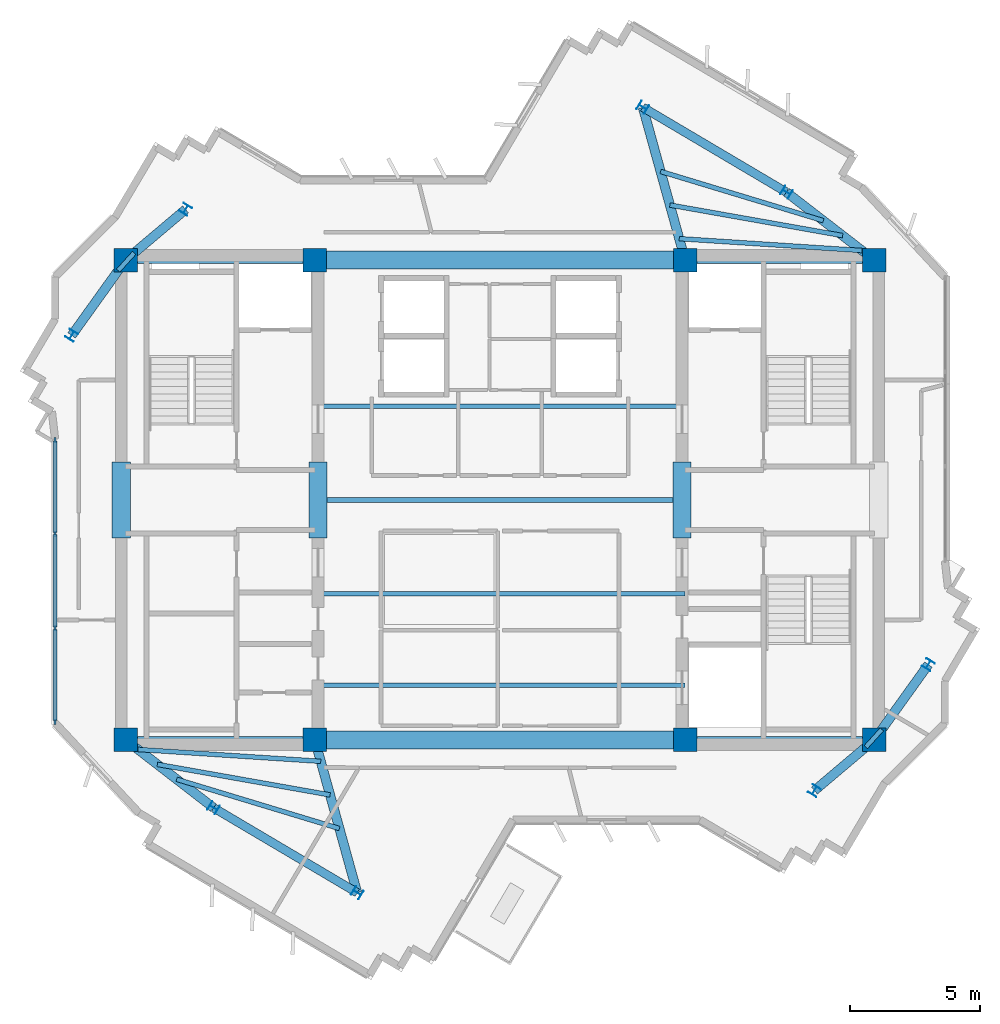
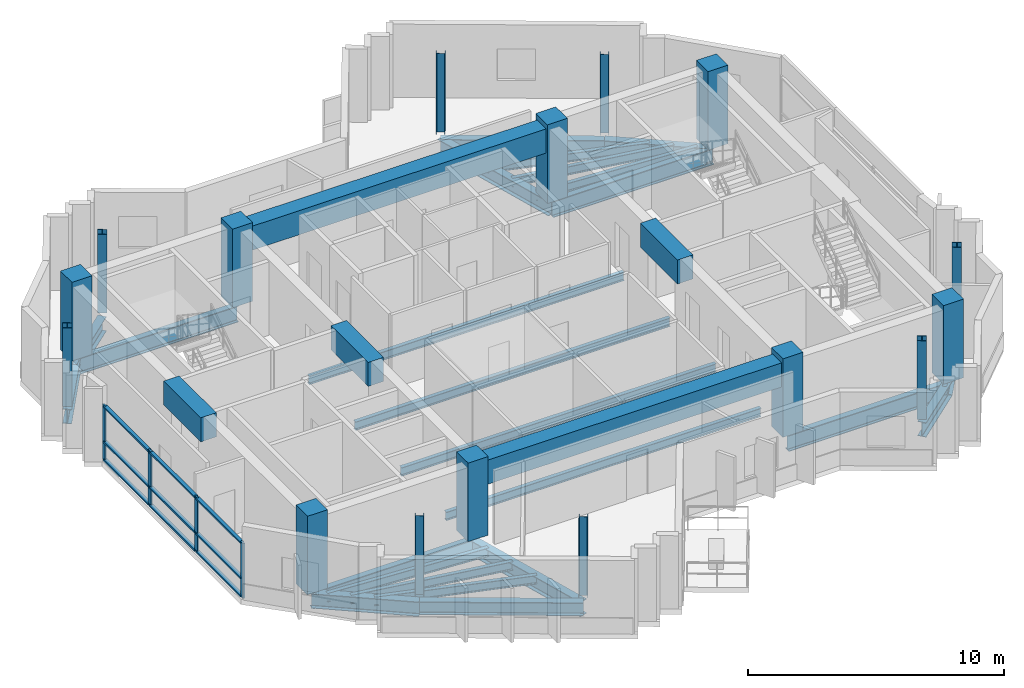
# One storey, part 1 of 10: 31 beams, 16 columns, 13 members, 1 element without a shape of its own.
"""IFC4 building model written with IfcOpenShell, lengths in metres."""

from ifc_helpers import new_model, si_unit, direction, frame, origin, origin_2d, place, context, subcontext, project, spatial, rectangle, i_section, extrude, source, transform, mapped, material, layer, layer_set, material_profile, profile_set, type_object, element, aggregate, save


model = new_model("IFC4")

# Units and contexts
model_context = context("Model", 3, precision=1e-05, world=origin(), true_north=direction((0.0, 1.0)))
body_context = subcontext(model_context, "Body", "Model", "MODEL_VIEW")
ifc_project = project(units=[si_unit("LENGTHUNIT", "METRE"), si_unit("AREAUNIT", "SQUARE_METRE"), si_unit("VOLUMEUNIT", "CUBIC_METRE"), si_unit("PLANEANGLEUNIT", "RADIAN"), si_unit("MASSUNIT", "GRAM", prefix="KILO")], contexts=[model_context])

# Site, building, storey
site_placement = place(None, origin())
site = spatial("IfcSite", under=ifc_project, at=site_placement, CompositionType="ELEMENT")
building_placement = place(site_placement, origin())
building = spatial("IfcBuilding", under=site, at=building_placement, Name="Zahravan Cultural Tower", CompositionType="ELEMENT")
storey_placement = place(building_placement, frame((0.0, 0.0, 346.050048828125)))
storey = spatial("IfcBuildingStorey", under=building, at=storey_placement, Name="L84", CompositionType="ELEMENT", Elevation=346.050048828125)

# Columns
ifc_material_1 = material(Name="Concrete C50/60", Category="concrete")
ifc_material_profile_1 = material_profile(ifc_material_1, rectangle(XDim=0.89990234375, YDim=0.89990234375, at=origin_2d()), Name="RC900X900")
ifc_profile_set_1 = profile_set([ifc_material_profile_1], Name="Concrete C50/60")
column_type_1 = type_object("IfcColumnType", Name="COL-RC900", PredefinedType="COLUMN", material=ifc_profile_set_1)
shared_shape_1 = source(origin(), body_context, "Body", "SweptSolid", [
    extrude(rectangle(XDim=0.89990234375, YDim=0.89990234375, at=origin_2d()), origin(), (0.0, 0.0, 1.0), 3.75),
])
for number, where, z_axis, x_axis, name in (
    (1, (21.64990234375, 17.800048828125, 0.0), (0.0, 0.0, 1.0), (1.0, 0.0, 0.0), "L84 Column CC-W1"),
    (2, (28.89990234375, 17.800048828125, 0.0), (0.0, 0.0, 1.0), (1.0, 0.0, 0.0), "L84 Column CC-W2"),
    (3, (21.64990234375, 36.199951171875, 0.0), (0.0, 0.0, 1.0), (1.0, 0.0, 0.0), "L84 Column CC-W3"),
    (4, (28.89990234375, 36.199951171875, 0.0), (0.0, 0.0, 1.0), (1.0, 0.0, 0.0), "L84 Column CC-W4"),
    (5, (43.10009765625, 17.800048828125, 0.0), (0.0, 0.0, 1.0), (1.0, 0.0, 0.0), "L84 Column CC-E1"),
    (6, (50.35009765625, 17.800048828125, 0.0), (0.0, 0.0, 1.0), (1.0, 0.0, 0.0), "L84 Column CC-E2"),
    (7, (43.10009765625, 36.199951171875, 0.0), (0.0, 0.0, 1.0), (1.0, 0.0, 0.0), "L84 Column CC-E3"),
    (8, (50.35009765625, 36.199951171875, 0.0), (0.0, 0.0, 1.0), (1.0, 0.0, 0.0), "L84 Column CC-E4"),
):
    element("IfcColumn", number, at=place(storey_placement, frame(where, z_axis=z_axis, x_axis=x_axis)), inside=storey, type_object=column_type_1, Name=name, PredefinedType="COLUMN", context=body_context, shape_type="MappedRepresentation", body=[
        mapped(shared_shape_1, transform((0.0, 0.0, 0.0), x_axis=(1.0, 0.0, 0.0), y_axis=(0.0, 1.0, 0.0), z_axis=(0.0, 0.0, 1.0), scale=1.0)),
    ])
ifc_material_2 = material(Name="Steel ASTM A992 Grade 50", Category="steel")
ifc_material_profile_2 = material_profile(ifc_material_2, i_section(OverallWidth=0.368896484375, OverallDepth=0.35595703125, WebThickness=0.01123046875, FlangeThickness=0.01806640625, FilletRadius=0.01806640625, at=origin_2d()), Name="W14X90")
ifc_profile_set_2 = profile_set([ifc_material_profile_2], Name="Steel ASTM A992 Grade 50")
column_type_2 = type_object("IfcColumnType", Name="COL-W14X90", PredefinedType="COLUMN", material=ifc_profile_set_2)
shared_shape_2 = source(origin(), body_context, "Body", "SweptSolid", [
    extrude(i_section(OverallWidth=0.368896484375, OverallDepth=0.35595703125, WebThickness=0.01123046875, FlangeThickness=0.01806640625, FilletRadius=0.01806640625, at=origin_2d()), origin(), (0.0, 0.0, 1.0), 3.75),
])
for number, where, z_axis, x_axis, name in (
    (9, (46.98388671875, 38.7998046875, 0.0), (0.0, 0.0, 1.0), (0.522498564716, 0.852640164354, 0.0), "L84 Column Z4C-E1"),
    (10, (41.474853515625, 42.058349609375, 0.0), (0.0, 0.0, 1.0), (0.522498564716, 0.852640164354, 0.0), "L84 Column Z4C-E2"),
    (11, (23.944580078125, 38.140625, 0.0), (0.0, 0.0, 1.0), (-0.852640164354, 0.522498564716, 0.0), "L84 Column Z4C-N1"),
    (12, (19.577392578125, 33.310791015625, 0.0), (0.0, 0.0, 1.0), (-0.852640164354, 0.522498564716, 0.0), "L84 Column Z4C-N2"),
    (13, (25.01611328125, 15.2001953125, 0.0), (0.0, 0.0, 1.0), (0.522498564716, 0.852640164354, 0.0), "L84 Column Z4C-W1"),
    (14, (30.525146484375, 11.941650390625, 0.0), (0.0, 0.0, 1.0), (0.522498564716, 0.852640164354, 0.0), "L84 Column Z4C-W2"),
    (15, (48.055419921875, 15.859375, 0.0), (0.0, 0.0, 1.0), (-0.852640164354, 0.522498564716, 0.0), "L84 Column Z4C-S1"),
    (16, (52.422607421875, 20.689208984375, 0.0), (0.0, 0.0, 1.0), (-0.852640164354, 0.522498564716, 0.0), "L84 Column Z4C-S2"),
):
    element("IfcColumn", number, at=place(storey_placement, frame(where, z_axis=z_axis, x_axis=x_axis)), inside=storey, type_object=column_type_2, Name=name, PredefinedType="COLUMN", context=body_context, shape_type="MappedRepresentation", body=[
        mapped(shared_shape_2, transform((0.0, 0.0, 0.0), x_axis=(1.0, 0.0, 0.0), y_axis=(0.0, 1.0, 0.0), z_axis=(0.0, 0.0, 1.0), scale=1.0)),
    ])

# Beams
ifc_material_profile_3 = material_profile(ifc_material_1, rectangle(XDim=0.699951171875, YDim=1.14990234375, at=origin_2d()), Name="RC700X1150")
ifc_profile_set_3 = profile_set([ifc_material_profile_3], Name="Concrete C50/60")
beam_type_1 = type_object("IfcBeamType", Name="BM-LN-RC700X1150", PredefinedType="LINTEL", material=ifc_profile_set_3)
shared_shape_3 = source(origin(), body_context, "Body", "SweptSolid", [
    extrude(rectangle(XDim=0.699951171875, YDim=1.14990234375, at=origin_2d()), origin(), (0.0, 0.0, 1.0), 14.2001953125),
])
for number, where, z_axis, x_axis, name in (
    (17, (28.89990234375, 17.800048828125, 2.925048828125), (1.0, 0.0, 0.0), (0.0, 1.0, 0.0), "L84 Beam LN-L84-S"),
    (18, (28.89990234375, 36.199951171875, 2.925048828125), (1.0, 0.0, 0.0), (0.0, 1.0, 0.0), "L84 Beam LN-L84-N"),
):
    element("IfcBeam", number, at=place(storey_placement, frame(where, z_axis=z_axis, x_axis=x_axis)), inside=storey, type_object=beam_type_1, Name=name, PredefinedType="LINTEL", context=body_context, shape_type="MappedRepresentation", body=[
        mapped(shared_shape_3, transform((0.0, 0.0, 0.0), x_axis=(1.0, 0.0, 0.0), y_axis=(0.0, 1.0, 0.0), z_axis=(0.0, 0.0, 1.0), scale=1.0)),
    ])
shared_shape_4 = source(origin(), body_context, "Body", "SweptSolid", [
    extrude(rectangle(XDim=0.699951171875, YDim=1.14990234375, at=origin_2d()), origin(), (0.0, 0.0, 1.0), 2.89990234375),
])
for number, where, z_axis, x_axis, name in (
    (19, (21.47509765625, 25.550048828125, 2.925048828125), (0.0, 1.0, 0.0), (-1.0, 0.0, 0.0), "L84 Beam LN-L84-PWW"),
    (20, (29.02490234375, 25.550048828125, 2.925048828125), (0.0, 1.0, 0.0), (-1.0, 0.0, 0.0), "L84 Beam LN-L84-PWE"),
    (21, (42.97509765625, 25.550048828125, 2.925048828125), (0.0, 1.0, 0.0), (-1.0, 0.0, 0.0), "L84 Beam LN-L84-PEW"),
):
    element("IfcBeam", number, at=place(storey_placement, frame(where, z_axis=z_axis, x_axis=x_axis)), inside=storey, type_object=beam_type_1, Name=name, PredefinedType="LINTEL", context=body_context, shape_type="MappedRepresentation", body=[
        mapped(shared_shape_4, transform((0.0, 0.0, 0.0), x_axis=(1.0, 0.0, 0.0), y_axis=(0.0, 1.0, 0.0), z_axis=(0.0, 0.0, 1.0), scale=1.0)),
    ])
ifc_material_profile_4 = material_profile(ifc_material_2, i_section(OverallWidth=0.26611328125, OverallDepth=0.780029296875, WebThickness=0.0166015625, FlangeThickness=0.030029296875, FilletRadius=0.01904296875, at=origin_2d()), Name="W30X148")
ifc_profile_set_4 = profile_set([ifc_material_profile_4], Name="Steel ASTM A992 Grade 50")
beam_type_2 = type_object("IfcBeamType", Name="BM-G-W30X148", PredefinedType="BEAM", material=ifc_profile_set_4)
shared_shape_5 = source(origin(), body_context, "Body", "SweptSolid", [
    extrude(i_section(OverallWidth=0.26611328125, OverallDepth=0.780029296875, WebThickness=0.0166015625, FlangeThickness=0.030029296875, FilletRadius=0.01904296875, at=origin_2d()), origin(), (0.0, 0.0, 1.0), 7.25),
])
for number, where, z_axis, x_axis, name in (
    (22, (21.64990234375, 17.800048828125, -0.64013671875), (1.0, 0.0, 0.0), (0.0, 1.0, 0.0), "L84 Beam BG-L84-01"),
    (23, (21.64990234375, 36.199951171875, -0.64013671875), (1.0, 0.0, 0.0), (0.0, 1.0, 0.0), "L84 Beam BG-L84-02"),
    (24, (43.10009765625, 17.800048828125, -0.64013671875), (1.0, 0.0, 0.0), (0.0, 1.0, 0.0), "L84 Beam BG-L84-04"),
    (25, (43.10009765625, 36.199951171875, -0.64013671875), (1.0, 0.0, 0.0), (0.0, 1.0, 0.0), "L84 Beam BG-L84-05"),
):
    element("IfcBeam", number, at=place(storey_placement, frame(where, z_axis=z_axis, x_axis=x_axis)), inside=storey, type_object=beam_type_2, Name=name, PredefinedType="BEAM", context=body_context, shape_type="MappedRepresentation", body=[
        mapped(shared_shape_5, transform((0.0, 0.0, 0.0), x_axis=(1.0, 0.0, 0.0), y_axis=(0.0, 1.0, 0.0), z_axis=(0.0, 0.0, 1.0), scale=1.0)),
    ])
ifc_material_profile_5 = material_profile(ifc_material_2, i_section(OverallWidth=0.35498046875, OverallDepth=0.696044921875, WebThickness=0.015380859375, FlangeThickness=0.025146484375, FilletRadius=0.01806640625, at=origin_2d()), Name="W27X146")
ifc_profile_set_5 = profile_set([ifc_material_profile_5], Name="Steel ASTM A992 Grade 50")
beam_type_3 = type_object("IfcBeamType", Name="BM-G-W27X146", PredefinedType="BEAM", material=ifc_profile_set_5)
shared_shape_6 = source(origin(), body_context, "Body", "SweptSolid", [
    extrude(i_section(OverallWidth=0.35498046875, OverallDepth=0.696044921875, WebThickness=0.015380859375, FlangeThickness=0.025146484375, FilletRadius=0.01806640625, at=origin_2d()), origin(), (0.0, 0.0, 1.0), 4.25341796875),
])
for number, where, z_axis, x_axis, name in (
    (26, (21.64990234375, 17.800048828125, -0.59814453125), (0.791433936253, -0.611254713313, 0.0), (0.611254713313, 0.791433936253, 0.0), "L84 Beam BG-L84-07"),
    (27, (50.35009765625, 36.199951171875, -0.59814453125), (-0.791433936253, 0.611254713313, 0.0), (-0.611254713313, -0.791433936253, 0.0), "L84 Beam BG-L84-11"),
):
    element("IfcBeam", number, at=place(storey_placement, frame(where, z_axis=z_axis, x_axis=x_axis)), inside=storey, type_object=beam_type_3, Name=name, PredefinedType="BEAM", context=body_context, shape_type="MappedRepresentation", body=[
        mapped(shared_shape_6, transform((0.0, 0.0, 0.0), x_axis=(1.0, 0.0, 0.0), y_axis=(0.0, 1.0, 0.0), z_axis=(0.0, 0.0, 1.0), scale=1.0)),
    ])
shared_shape_7 = source(origin(), body_context, "Body", "SweptSolid", [
    extrude(i_section(OverallWidth=0.35498046875, OverallDepth=0.696044921875, WebThickness=0.015380859375, FlangeThickness=0.025146484375, FilletRadius=0.01806640625, at=origin_2d()), origin(), (0.0, 0.0, 1.0), 6.07958984375),
])
for number, where, z_axis, x_axis, name in (
    (28, (28.89990234375, 17.800048828125, -0.59814453125), (0.267324894686, -0.963606455292, 0.0), (0.963606455292, 0.267324894686, 0.0), "L84 Beam BG-L84-08"),
    (29, (43.10009765625, 36.199951171875, -0.59814453125), (-0.267324894686, 0.963606455292, 0.0), (-0.963606455292, -0.267324894686, 0.0), "L84 Beam BG-L84-12"),
):
    element("IfcBeam", number, at=place(storey_placement, frame(where, z_axis=z_axis, x_axis=x_axis)), inside=storey, type_object=beam_type_3, Name=name, PredefinedType="BEAM", context=body_context, shape_type="MappedRepresentation", body=[
        mapped(shared_shape_7, transform((0.0, 0.0, 0.0), x_axis=(1.0, 0.0, 0.0), y_axis=(0.0, 1.0, 0.0), z_axis=(0.0, 0.0, 1.0), scale=1.0)),
    ])
shared_shape_8 = source(origin(), body_context, "Body", "SweptSolid", [
    extrude(i_section(OverallWidth=0.35498046875, OverallDepth=0.696044921875, WebThickness=0.015380859375, FlangeThickness=0.025146484375, FilletRadius=0.01806640625, at=origin_2d()), origin(), (0.0, 0.0, 1.0), 3.00537109375),
])
for number, where, z_axis, x_axis, name in (
    (30, (50.35009765625, 17.800048828125, -0.59814453125), (-0.763546494847, -0.645752855361, 0.0), (0.645752855361, -0.763546494847, 0.0), "L84 Beam BG-L84-09"),
    (31, (21.64990234375, 36.199951171875, -0.59814453125), (0.763546494847, 0.645752855361, 0.0), (-0.645752855361, 0.763546494847, 0.0), "L84 Beam BG-L84-13"),
):
    element("IfcBeam", number, at=place(storey_placement, frame(where, z_axis=z_axis, x_axis=x_axis)), inside=storey, type_object=beam_type_3, Name=name, PredefinedType="BEAM", context=body_context, shape_type="MappedRepresentation", body=[
        mapped(shared_shape_8, transform((0.0, 0.0, 0.0), x_axis=(1.0, 0.0, 0.0), y_axis=(0.0, 1.0, 0.0), z_axis=(0.0, 0.0, 1.0), scale=1.0)),
    ])
shared_shape_9 = source(origin(), body_context, "Body", "SweptSolid", [
    extrude(i_section(OverallWidth=0.35498046875, OverallDepth=0.696044921875, WebThickness=0.015380859375, FlangeThickness=0.025146484375, FilletRadius=0.01806640625, at=origin_2d()), origin(), (0.0, 0.0, 1.0), 3.5556640625),
])
for number, where, z_axis, x_axis, name in (
    (32, (50.35009765625, 17.800048828125, -0.59814453125), (0.58288028137, 0.812558045674, 0.0), (-0.812558045674, 0.58288028137, 0.0), "L84 Beam BG-L84-10"),
    (33, (21.64990234375, 36.199951171875, -0.59814453125), (-0.58288028137, -0.812558045674, 0.0), (0.812558045674, -0.58288028137, 0.0), "L84 Beam BG-L84-14"),
):
    element("IfcBeam", number, at=place(storey_placement, frame(where, z_axis=z_axis, x_axis=x_axis)), inside=storey, type_object=beam_type_3, Name=name, PredefinedType="BEAM", context=body_context, shape_type="MappedRepresentation", body=[
        mapped(shared_shape_9, transform((0.0, 0.0, 0.0), x_axis=(1.0, 0.0, 0.0), y_axis=(0.0, 1.0, 0.0), z_axis=(0.0, 0.0, 1.0), scale=1.0)),
    ])
ifc_material_profile_6 = material_profile(ifc_material_2, i_section(OverallWidth=0.326904296875, OverallDepth=0.6220703125, WebThickness=0.015380859375, FlangeThickness=0.0244140625, FilletRadius=0.014892578125, at=origin_2d()), Name="W24X131")
ifc_profile_set_6 = profile_set([ifc_material_profile_6], Name="Steel ASTM A992 Grade 50")
beam_type_4 = type_object("IfcBeamType", Name="BM-SP-W24X131", PredefinedType="SPANDREL", material=ifc_profile_set_6)
shared_shape_10 = source(origin(), body_context, "Body", "SweptSolid", [
    extrude(i_section(OverallWidth=0.326904296875, OverallDepth=0.6220703125, WebThickness=0.015380859375, FlangeThickness=0.0244140625, FilletRadius=0.014892578125, at=origin_2d()), origin(), (0.0, 0.0, 1.0), 6.400634765625),
])
for number, where, z_axis, x_axis, name in (
    (34, (25.01611328125, 15.2001953125, -0.56103515625), (0.860706991833, -0.509100652337, 0.0), (0.509100652337, 0.860706991833, 0.0), "L84 Beam SP-L84-15"),
    (35, (46.98388671875, 38.7998046875, -0.56103515625), (-0.860706991833, 0.509100652337, 0.0), (-0.509100652337, -0.860706991833, 0.0), "L84 Beam SP-L84-17"),
):
    element("IfcBeam", number, at=place(storey_placement, frame(where, z_axis=z_axis, x_axis=x_axis)), inside=storey, type_object=beam_type_4, Name=name, PredefinedType="SPANDREL", context=body_context, shape_type="MappedRepresentation", body=[
        mapped(shared_shape_10, transform((0.0, 0.0, 0.0), x_axis=(1.0, 0.0, 0.0), y_axis=(0.0, 1.0, 0.0), z_axis=(0.0, 0.0, 1.0), scale=1.0)),
    ])
ifc_material_profile_7 = material_profile(ifc_material_2, i_section(OverallWidth=0.177978515625, OverallDepth=0.406005859375, WebThickness=0.0078125, FlangeThickness=0.0126953125, FilletRadius=0.011962890625, at=origin_2d()), Name="W16X40")
ifc_profile_set_7 = profile_set([ifc_material_profile_7], Name="Steel ASTM A992 Grade 50")
beam_type_5 = type_object("IfcBeamType", Name="BM-J-W16X40", PredefinedType="JOIST", material=ifc_profile_set_7)
shared_shape_11 = source(origin(), body_context, "Body", "SweptSolid", [
    extrude(i_section(OverallWidth=0.177978515625, OverallDepth=0.406005859375, WebThickness=0.0078125, FlangeThickness=0.0126953125, FilletRadius=0.011962890625, at=origin_2d()), origin(), (0.0, 0.0, 1.0), 14.2001953125),
])
for number, where, z_axis, x_axis, name in (
    (36, (28.89990234375, 19.89990234375, -0.453125), (1.0, 0.0, 0.0), (0.0, 1.0, 0.0), "L84 Beam BJ-L84-20"),
    (37, (28.89990234375, 23.39990234375, -0.453125), (1.0, 0.0, 0.0), (0.0, 1.0, 0.0), "L84 Beam BJ-L84-21"),
    (38, (28.89990234375, 27.0, -0.453125), (1.0, 0.0, 0.0), (0.0, 1.0, 0.0), "L84 Beam BJ-L84-22"),
    (39, (28.89990234375, 30.60009765625, -0.453125), (1.0, 0.0, 0.0), (0.0, 1.0, 0.0), "L84 Beam BJ-L84-23"),
):
    element("IfcBeam", number, at=place(storey_placement, frame(where, z_axis=z_axis, x_axis=x_axis)), inside=storey, type_object=beam_type_5, Name=name, PredefinedType="JOIST", context=body_context, shape_type="MappedRepresentation", body=[
        mapped(shared_shape_11, transform((0.0, 0.0, 0.0), x_axis=(1.0, 0.0, 0.0), y_axis=(0.0, 1.0, 0.0), z_axis=(0.0, 0.0, 1.0), scale=1.0)),
    ])
shared_shape_12 = source(origin(), body_context, "Body", "SweptSolid", [
    extrude(i_section(OverallWidth=0.177978515625, OverallDepth=0.406005859375, WebThickness=0.0078125, FlangeThickness=0.0126953125, FilletRadius=0.011962890625, at=origin_2d()), origin(), (0.0, 0.0, 1.0), 7.02099609375),
])
for number, where, z_axis, x_axis, name in (
    (40, (22.121337890625, 17.43603515625, -0.453125), (0.99788584579, -0.064991066863, 0.0), (0.064991066863, 0.99788584579, 0.0), "L84 Beam BJ-L84-24"),
    (41, (49.878662109375, 36.56396484375, -0.453125), (-0.99788584579, 0.064991066863, 0.0), (-0.064991066863, -0.99788584579, 0.0), "L84 Beam BJ-L84-40"),
):
    element("IfcBeam", number, at=place(storey_placement, frame(where, z_axis=z_axis, x_axis=x_axis)), inside=storey, type_object=beam_type_5, Name=name, PredefinedType="JOIST", context=body_context, shape_type="MappedRepresentation", body=[
        mapped(shared_shape_12, transform((0.0, 0.0, 0.0), x_axis=(1.0, 0.0, 0.0), y_axis=(0.0, 1.0, 0.0), z_axis=(0.0, 0.0, 1.0), scale=1.0)),
    ])
shared_shape_13 = source(origin(), body_context, "Body", "SweptSolid", [
    extrude(i_section(OverallWidth=0.177978515625, OverallDepth=0.406005859375, WebThickness=0.0078125, FlangeThickness=0.0126953125, FilletRadius=0.011962890625, at=origin_2d()), origin(), (0.0, 0.0, 1.0), 6.726318359375),
])
for number, where, z_axis, x_axis, name in (
    (42, (22.86181640625, 16.864013671875, -0.453125), (0.98467447748, -0.17440233198, 0.0), (0.17440233198, 0.98467447748, 0.0), "L84 Beam BJ-L84-26"),
    (43, (49.13818359375, 37.135986328125, -0.453125), (-0.98467447748, 0.17440233198, 0.0), (-0.17440233198, -0.98467447748, 0.0), "L84 Beam BJ-L84-42"),
):
    element("IfcBeam", number, at=place(storey_placement, frame(where, z_axis=z_axis, x_axis=x_axis)), inside=storey, type_object=beam_type_5, Name=name, PredefinedType="JOIST", context=body_context, shape_type="MappedRepresentation", body=[
        mapped(shared_shape_13, transform((0.0, 0.0, 0.0), x_axis=(1.0, 0.0, 0.0), y_axis=(0.0, 1.0, 0.0), z_axis=(0.0, 0.0, 1.0), scale=1.0)),
    ])
shared_shape_14 = source(origin(), body_context, "Body", "SweptSolid", [
    extrude(i_section(OverallWidth=0.177978515625, OverallDepth=0.406005859375, WebThickness=0.0078125, FlangeThickness=0.0126953125, FilletRadius=0.011962890625, at=origin_2d()), origin(), (0.0, 0.0, 1.0), 6.520263671875),
])
for number, where, z_axis, x_axis, name in (
    (44, (23.602294921875, 16.292236328125, -0.453125), (0.957060297679, -0.289888921151, 0.0), (0.289888921151, 0.957060297679, 0.0), "L84 Beam BJ-L84-28"),
    (45, (48.397705078125, 37.707763671875, -0.453125), (-0.957060297679, 0.289888921151, 0.0), (-0.289888921151, -0.957060297679, 0.0), "L84 Beam BJ-L84-44"),
):
    element("IfcBeam", number, at=place(storey_placement, frame(where, z_axis=z_axis, x_axis=x_axis)), inside=storey, type_object=beam_type_5, Name=name, PredefinedType="JOIST", context=body_context, shape_type="MappedRepresentation", body=[
        mapped(shared_shape_14, transform((0.0, 0.0, 0.0), x_axis=(1.0, 0.0, 0.0), y_axis=(0.0, 1.0, 0.0), z_axis=(0.0, 0.0, 1.0), scale=1.0)),
    ])
shared_shape_15 = source(origin(), body_context, "Body", "SweptSolid", [
    extrude(i_section(OverallWidth=0.177978515625, OverallDepth=0.406005859375, WebThickness=0.0078125, FlangeThickness=0.0126953125, FilletRadius=0.011962890625, at=origin_2d()), origin(), (0.0, 0.0, 1.0), 0.91162109375),
])
for number, where, z_axis, x_axis, name in (
    (46, (50.02880859375, 17.5283203125, -0.453125), (0.670590689022, 0.741827559341, 0.0), (-0.741827559341, 0.670590689022, 0.0), "L84 Beam BJ-L84-32"),
    (47, (21.97119140625, 36.4716796875, -0.453125), (-0.670590689022, -0.741827559341, 0.0), (0.741827559341, -0.670590689022, 0.0), "L84 Beam BJ-L84-48"),
):
    element("IfcBeam", number, at=place(storey_placement, frame(where, z_axis=z_axis, x_axis=x_axis)), inside=storey, type_object=beam_type_5, Name=name, PredefinedType="JOIST", context=body_context, shape_type="MappedRepresentation", body=[
        mapped(shared_shape_15, transform((0.0, 0.0, 0.0), x_axis=(1.0, 0.0, 0.0), y_axis=(0.0, 1.0, 0.0), z_axis=(0.0, 0.0, 1.0), scale=1.0)),
    ])

# Curtain wall, members
ifc_material_3 = material(Name="Anodised bronze-aluminium mullion", Category="aluminium")
ifc_layer = layer(ifc_material_3, 0.219970703125)
ifc_layer_set = layer_set([ifc_layer], Name="Anodised bronze-aluminium mullion")
curtain_wall_type = type_object("IfcCurtainWallType", Name="CW-SYS-1", PredefinedType="USERDEFINED", material=ifc_layer_set)
curtain_wall_placement = place(storey_placement, origin())
curtain_wall = element("IfcCurtainWall", 48, at=curtain_wall_placement, inside=storey, type_object=curtain_wall_type, Name="L84 Recessed Curtain Wall CW-1.2", ObjectType="RECESSED GLAZING", PredefinedType="USERDEFINED")
ifc_material_profile_8 = material_profile(ifc_material_3, rectangle(XDim=0.080078125, YDim=0.219970703125, at=origin_2d()), Name="AL-M80X220")
ifc_profile_set_8 = profile_set([ifc_material_profile_8], Name="Anodised bronze-aluminium mullion")
member_type_1 = type_object("IfcMemberType", Name="CWM-CW-1", PredefinedType="MULLION", material=ifc_profile_set_8)
shared_shape_16 = source(origin(), body_context, "Body", "SweptSolid", [
    extrude(rectangle(XDim=0.080078125, YDim=0.219970703125, at=origin_2d()), origin(), (0.0, 0.0, 1.0), 2.619873046875),
])
member_1_placement = place(storey_placement, frame((18.93994140625, 18.498046875, 0.0), z_axis=(0.0, 0.0, 1.0), x_axis=(-1.0, 0.0, 0.0)))
member_1 = element("IfcMember", 49, at=member_1_placement, type_object=member_type_1, Name="CW-1 mullion 1", PredefinedType="MULLION", context=body_context, shape_type="MappedRepresentation", body=[
    mapped(shared_shape_16, transform((0.0, 0.0, 0.0), x_axis=(1.0, 0.0, 0.0), y_axis=(0.0, 1.0, 0.0), z_axis=(0.0, 0.0, 1.0), scale=1.0)),
])
member_2_placement = place(storey_placement, frame((18.93994140625, 22.083984375, 0.0), z_axis=(0.0, 0.0, 1.0), x_axis=(-1.0, 0.0, 0.0)))
member_2 = element("IfcMember", 50, at=member_2_placement, type_object=member_type_1, Name="CW-1 mullion 2", PredefinedType="MULLION", context=body_context, shape_type="MappedRepresentation", body=[
    mapped(shared_shape_16, transform((0.0, 0.0, 0.0), x_axis=(1.0, 0.0, 0.0), y_axis=(0.0, 1.0, 0.0), z_axis=(0.0, 0.0, 1.0), scale=1.0)),
])
member_3_placement = place(storey_placement, frame((18.93994140625, 25.709716796875, 0.0), z_axis=(0.0, 0.0, 1.0), x_axis=(-1.0, 0.0, 0.0)))
member_3 = element("IfcMember", 51, at=member_3_placement, type_object=member_type_1, Name="CW-1 mullion 3", PredefinedType="MULLION", context=body_context, shape_type="MappedRepresentation", body=[
    mapped(shared_shape_16, transform((0.0, 0.0, 0.0), x_axis=(1.0, 0.0, 0.0), y_axis=(0.0, 1.0, 0.0), z_axis=(0.0, 0.0, 1.0), scale=1.0)),
])
member_4_placement = place(storey_placement, frame((18.93994140625, 29.295654296875, 0.0), z_axis=(0.0, 0.0, 1.0), x_axis=(-1.0, 0.0, 0.0)))
member_4 = element("IfcMember", 52, at=member_4_placement, type_object=member_type_1, Name="CW-1 mullion 4", PredefinedType="MULLION", context=body_context, shape_type="MappedRepresentation", body=[
    mapped(shared_shape_16, transform((0.0, 0.0, 0.0), x_axis=(1.0, 0.0, 0.0), y_axis=(0.0, 1.0, 0.0), z_axis=(0.0, 0.0, 1.0), scale=1.0)),
])
ifc_material_profile_9 = material_profile(ifc_material_3, rectangle(XDim=0.159912109375, YDim=0.080078125, at=origin_2d()), Name="AL-T80X160")
ifc_profile_set_9 = profile_set([ifc_material_profile_9], Name="Anodised bronze-aluminium mullion")
member_type_2 = type_object("IfcMemberType", Name="CWT-CW-1", PredefinedType="USERDEFINED", material=ifc_profile_set_9)
shared_shape_17 = source(origin(), body_context, "Body", "SweptSolid", [
    extrude(rectangle(XDim=0.159912109375, YDim=0.080078125, at=origin_2d()), origin(), (0.0, 0.0, 1.0), 3.505859375),
])
member_5_placement = place(storey_placement, frame((18.93994140625, 18.5380859375, 0.0400390625), z_axis=(0.0, 1.0, 0.0), x_axis=(-1.0, 0.0, 0.0)))
member_5 = element("IfcMember", 53, at=member_5_placement, type_object=member_type_2, Name="CW-1 transom 1.1", ObjectType="TRANSOM", PredefinedType="USERDEFINED", context=body_context, shape_type="MappedRepresentation", body=[
    mapped(shared_shape_17, transform((0.0, 0.0, 0.0), x_axis=(1.0, 0.0, 0.0), y_axis=(0.0, 1.0, 0.0), z_axis=(0.0, 0.0, 1.0), scale=1.0)),
])
member_6_placement = place(storey_placement, frame((18.93994140625, 18.5380859375, 0.89990234375), z_axis=(0.0, 1.0, 0.0), x_axis=(-1.0, 0.0, 0.0)))
member_6 = element("IfcMember", 54, at=member_6_placement, type_object=member_type_2, Name="CW-1 transom 1.2", ObjectType="TRANSOM", PredefinedType="USERDEFINED", context=body_context, shape_type="MappedRepresentation", body=[
    mapped(shared_shape_17, transform((0.0, 0.0, 0.0), x_axis=(1.0, 0.0, 0.0), y_axis=(0.0, 1.0, 0.0), z_axis=(0.0, 0.0, 1.0), scale=1.0)),
])
member_7_placement = place(storey_placement, frame((18.93994140625, 18.5380859375, 2.579833984375), z_axis=(0.0, 1.0, 0.0), x_axis=(-1.0, 0.0, 0.0)))
member_7 = element("IfcMember", 55, at=member_7_placement, type_object=member_type_2, Name="CW-1 transom 1.3", ObjectType="TRANSOM", PredefinedType="USERDEFINED", context=body_context, shape_type="MappedRepresentation", body=[
    mapped(shared_shape_17, transform((0.0, 0.0, 0.0), x_axis=(1.0, 0.0, 0.0), y_axis=(0.0, 1.0, 0.0), z_axis=(0.0, 0.0, 1.0), scale=1.0)),
])
member_8_placement = place(storey_placement, frame((18.93994140625, 25.749755859375, 0.0400390625), z_axis=(0.0, 1.0, 0.0), x_axis=(-1.0, 0.0, 0.0)))
member_8 = element("IfcMember", 56, at=member_8_placement, type_object=member_type_2, Name="CW-1 transom 3.1", ObjectType="TRANSOM", PredefinedType="USERDEFINED", context=body_context, shape_type="MappedRepresentation", body=[
    mapped(shared_shape_17, transform((0.0, 0.0, 0.0), x_axis=(1.0, 0.0, 0.0), y_axis=(0.0, 1.0, 0.0), z_axis=(0.0, 0.0, 1.0), scale=1.0)),
])
member_9_placement = place(storey_placement, frame((18.93994140625, 25.749755859375, 0.89990234375), z_axis=(0.0, 1.0, 0.0), x_axis=(-1.0, 0.0, 0.0)))
member_9 = element("IfcMember", 57, at=member_9_placement, type_object=member_type_2, Name="CW-1 transom 3.2", ObjectType="TRANSOM", PredefinedType="USERDEFINED", context=body_context, shape_type="MappedRepresentation", body=[
    mapped(shared_shape_17, transform((0.0, 0.0, 0.0), x_axis=(1.0, 0.0, 0.0), y_axis=(0.0, 1.0, 0.0), z_axis=(0.0, 0.0, 1.0), scale=1.0)),
])
member_10_placement = place(storey_placement, frame((18.93994140625, 25.749755859375, 2.579833984375), z_axis=(0.0, 1.0, 0.0), x_axis=(-1.0, 0.0, 0.0)))
member_10 = element("IfcMember", 58, at=member_10_placement, type_object=member_type_2, Name="CW-1 transom 3.3", ObjectType="TRANSOM", PredefinedType="USERDEFINED", context=body_context, shape_type="MappedRepresentation", body=[
    mapped(shared_shape_17, transform((0.0, 0.0, 0.0), x_axis=(1.0, 0.0, 0.0), y_axis=(0.0, 1.0, 0.0), z_axis=(0.0, 0.0, 1.0), scale=1.0)),
])
shared_shape_18 = source(origin(), body_context, "Body", "SweptSolid", [
    extrude(rectangle(XDim=0.159912109375, YDim=0.080078125, at=origin_2d()), origin(), (0.0, 0.0, 1.0), 3.5458984375),
])
member_11_placement = place(storey_placement, frame((18.93994140625, 22.123779296875, 0.0400390625), z_axis=(0.0, 1.0, 0.0), x_axis=(-1.0, 0.0, 0.0)))
member_11 = element("IfcMember", 59, at=member_11_placement, type_object=member_type_2, Name="CW-1 transom 2.1", ObjectType="TRANSOM", PredefinedType="USERDEFINED", context=body_context, shape_type="MappedRepresentation", body=[
    mapped(shared_shape_18, transform((0.0, 0.0, 0.0), x_axis=(1.0, 0.0, 0.0), y_axis=(0.0, 1.0, 0.0), z_axis=(0.0, 0.0, 1.0), scale=1.0)),
])
member_12_placement = place(storey_placement, frame((18.93994140625, 22.123779296875, 0.89990234375), z_axis=(0.0, 1.0, 0.0), x_axis=(-1.0, 0.0, 0.0)))
member_12 = element("IfcMember", 60, at=member_12_placement, type_object=member_type_2, Name="CW-1 transom 2.2", ObjectType="TRANSOM", PredefinedType="USERDEFINED", context=body_context, shape_type="MappedRepresentation", body=[
    mapped(shared_shape_18, transform((0.0, 0.0, 0.0), x_axis=(1.0, 0.0, 0.0), y_axis=(0.0, 1.0, 0.0), z_axis=(0.0, 0.0, 1.0), scale=1.0)),
])
member_13_placement = place(storey_placement, frame((18.93994140625, 22.123779296875, 2.579833984375), z_axis=(0.0, 1.0, 0.0), x_axis=(-1.0, 0.0, 0.0)))
member_13 = element("IfcMember", 61, at=member_13_placement, type_object=member_type_2, Name="CW-1 transom 2.3", ObjectType="TRANSOM", PredefinedType="USERDEFINED", context=body_context, shape_type="MappedRepresentation", body=[
    mapped(shared_shape_18, transform((0.0, 0.0, 0.0), x_axis=(1.0, 0.0, 0.0), y_axis=(0.0, 1.0, 0.0), z_axis=(0.0, 0.0, 1.0), scale=1.0)),
])
aggregate(curtain_wall, [member_1, member_2, member_3, member_4, member_5, member_6, member_7, member_11, member_12, member_13, member_8, member_9, member_10])

save(model, "model.ifc")
